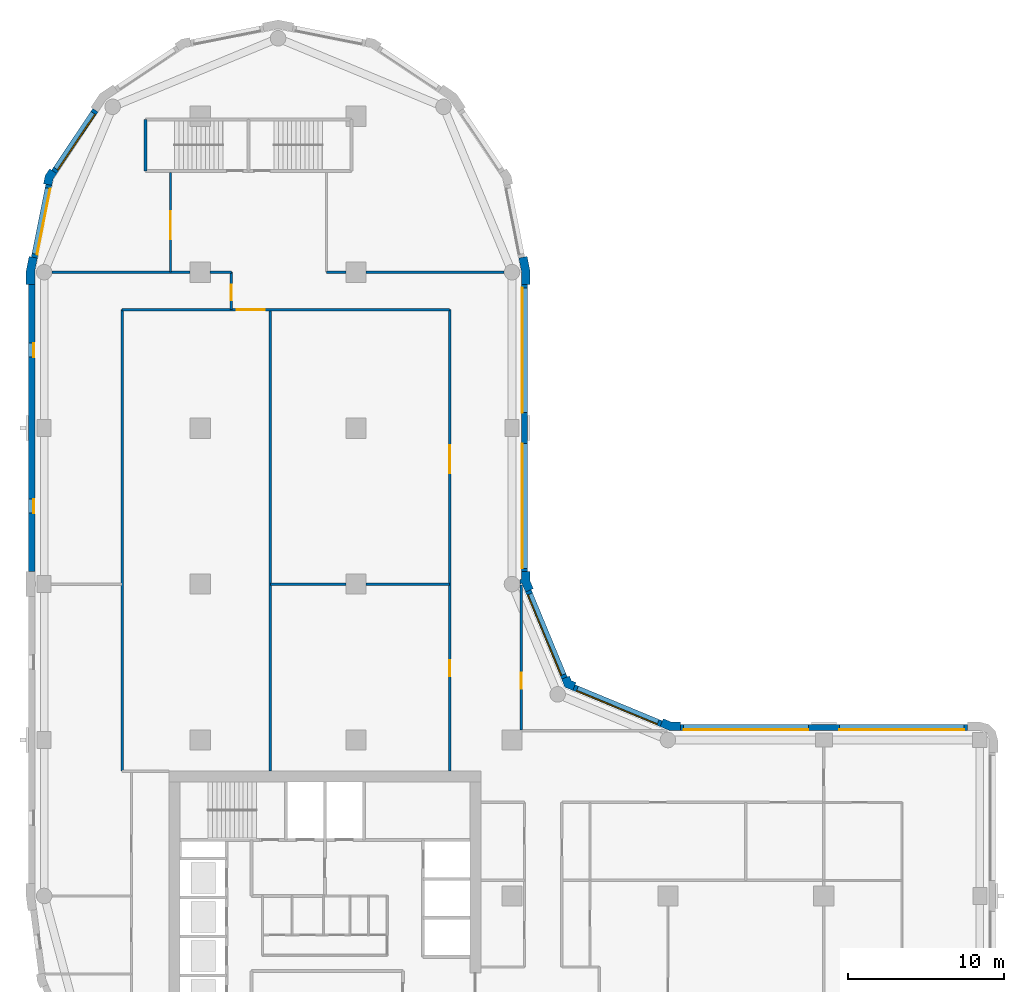
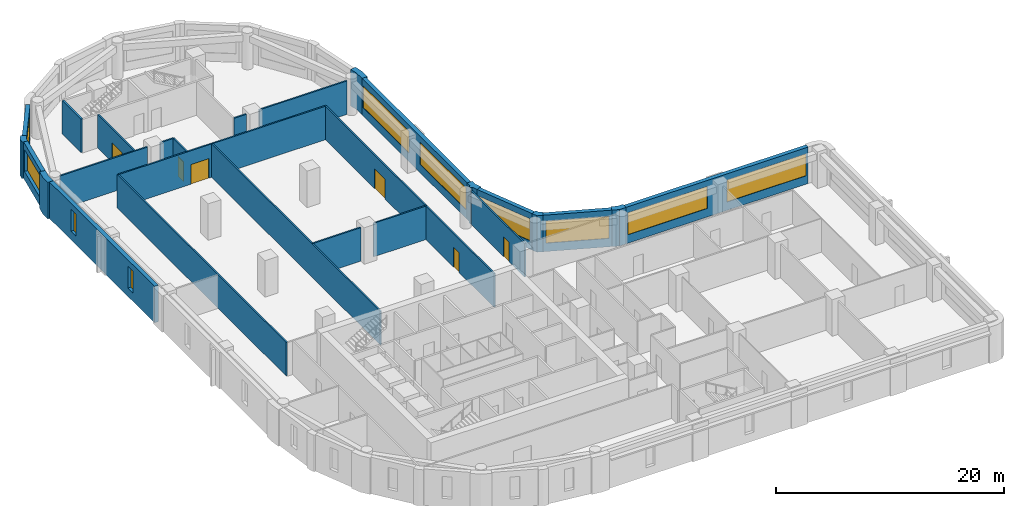
# One storey, part 6 of 10: 27 walls, 10 windows, 6 doors, 16 openings.
"""IFC4 building model written with IfcOpenShell, lengths in metres."""

from ifc_helpers import new_model, si_unit, direction, frame, frame_2d, origin, place, context, subcontext, project, spatial, polyline, rectangle, outline, extrude, material, layer, layer_set, type_object, element, fill, save


model = new_model("IFC4")

# Units and contexts
model_context = context("Model", 3, precision=1e-05, world=origin(), true_north=direction((0.0, 1.0)))
body_context = subcontext(model_context, "Body", "Model", "MODEL_VIEW")
ifc_project = project(units=[si_unit("LENGTHUNIT", "METRE"), si_unit("AREAUNIT", "SQUARE_METRE"), si_unit("VOLUMEUNIT", "CUBIC_METRE"), si_unit("PLANEANGLEUNIT", "RADIAN"), si_unit("MASSUNIT", "GRAM", prefix="KILO")], contexts=[model_context])

# Site, building, storey
site_placement = place(None, origin())
site = spatial("IfcSite", under=ifc_project, at=site_placement, CompositionType="ELEMENT")
building_placement = place(site_placement, origin())
building = spatial("IfcBuilding", under=site, at=building_placement, Name="Qaws Garden Tower", CompositionType="ELEMENT")
storey_placement = place(building_placement, frame((0.0, 0.0, 182.39990234375)))
storey = spatial("IfcBuildingStorey", under=building, at=storey_placement, Name="L44", CompositionType="ELEMENT", Elevation=182.39990234375)

# Wall, openings, windows
ifc_material_1 = material(Name="Clay facing brick masonry", Category="masonry")
ifc_layer_1 = layer(ifc_material_1, 0.39990234375)
ifc_layer_set_1 = layer_set([ifc_layer_1], Name="Clay facing brick masonry")
wall_type_1 = type_object("IfcWallType", Name="Brick infill wall 400", PredefinedType="SOLIDWALL", material=ifc_layer_set_1)
wall_1_placement = place(storey_placement, frame((59.199951171875, 30.800048828125, 0.0), z_axis=(0.0, 0.0, 1.0), x_axis=(-1.0, 0.0, 0.0)))
wall_1 = element("IfcWall", 1, at=wall_1_placement, inside=storey, type_object=wall_type_1, Name="E-L44-infill-07", PredefinedType="SOLIDWALL", context=body_context, shape_type="SweptSolid", body=[
    extrude(rectangle(XDim=18.39990234375, YDim=0.39990234375, at=frame_2d((9.199951171875, 0.0))), origin(), (0.0, 0.0, 1.0), 3.900146484375),
])
opening_1_placement = place(wall_1_placement, frame((0.199951171875, 0.0, 0.89990234375)))
opening_1 = element("IfcOpeningElement", 2, at=opening_1_placement, cuts=wall_1, Name="Opening W01", PredefinedType="OPENING", context=body_context, shape_type="SweptSolid", body=[
    extrude(rectangle(XDim=8.0, YDim=2.35009765625, at=frame_2d((4.0, 1.175048828125))), frame((0.0, 0.2099609375, 0.0), z_axis=(0.0, -1.0, 0.0), x_axis=(1.0, 0.0, 0.0)), (0.0, 0.0, 1.0), 0.419921875),
])
opening_2_placement = place(wall_1_placement, frame((10.199951171875, 0.0, 0.89990234375)))
opening_2 = element("IfcOpeningElement", 3, at=opening_2_placement, cuts=wall_1, Name="Opening W01", PredefinedType="OPENING", context=body_context, shape_type="SweptSolid", body=[
    extrude(rectangle(XDim=8.0, YDim=2.35009765625, at=frame_2d((4.0, 1.175048828125))), frame((0.0, 0.2099609375, 0.0), z_axis=(0.0, -1.0, 0.0), x_axis=(1.0, 0.0, 0.0)), (0.0, 0.0, 1.0), 0.419921875),
])
ifc_material_2 = material(Name="Aluminium framed window, clear glazing", Category="aluminium")
window_type_1 = type_object("IfcWindowType", Name="Ribbon window 8000 x 2350", PartitioningType="DOUBLE_PANEL_VERTICAL", PredefinedType="WINDOW", material=ifc_material_2)
window_1_placement = place(opening_1_placement, origin())
window_1 = element("IfcWindow", 4, at=window_1_placement, inside=storey, type_object=window_type_1, Name="E-L44-window-07-0", OverallHeight=2.35009765625, OverallWidth=8.0, PartitioningType="SINGLE_PANEL", PredefinedType="WINDOW", context=body_context, shape_type="SweptSolid", body=[
    extrude(rectangle(XDim=8.0, YDim=2.35009765625, at=frame_2d((4.0, 1.175048828125))), frame((0.0, 0.159912109375, 0.0), z_axis=(0.0, -1.0, 0.0), x_axis=(1.0, 0.0, 0.0)), (0.0, 0.0, 1.0), 0.06005859375),
])
fill(opening_1, window_1)
window_2_placement = place(opening_2_placement, origin())
window_2 = element("IfcWindow", 5, at=window_2_placement, inside=storey, type_object=window_type_1, Name="E-L44-window-08-0", OverallHeight=2.35009765625, OverallWidth=8.0, PartitioningType="SINGLE_PANEL", PredefinedType="WINDOW", context=body_context, shape_type="SweptSolid", body=[
    extrude(rectangle(XDim=8.0, YDim=2.35009765625, at=frame_2d((4.0, 1.175048828125))), frame((0.0, 0.159912109375, 0.0), z_axis=(0.0, -1.0, 0.0), x_axis=(1.0, 0.0, 0.0)), (0.0, 0.0, 1.0), 0.06005859375),
])
fill(opening_2, window_2)

# Wall, opening, window
wall_2_placement = place(storey_placement, frame((39.56689453125, 31.04541015625, 0.0), z_axis=(0.0, 0.0, 1.0), x_axis=(-0.923891000409, 0.382655745237, 0.0)))
wall_2 = element("IfcWall", 6, at=wall_2_placement, inside=storey, type_object=wall_type_1, Name="E-L44-infill-09", PredefinedType="SOLIDWALL", context=body_context, shape_type="SweptSolid", body=[
    extrude(rectangle(XDim=6.053466796875, YDim=0.39990234375, at=frame_2d((3.02685546875, 0.0))), origin(), (0.0, 0.0, 1.0), 3.900146484375),
])
opening_3_placement = place(wall_2_placement, frame((0.226806640625, 0.0, 0.89990234375)))
opening_3 = element("IfcOpeningElement", 7, at=opening_3_placement, cuts=wall_2, Name="Opening W04", PredefinedType="OPENING", context=body_context, shape_type="SweptSolid", body=[
    extrude(rectangle(XDim=5.60009765625, YDim=2.35009765625, at=frame_2d((2.800048828125, 1.175048828125))), frame((0.0, 0.2099609375, 0.0), z_axis=(0.0, -1.0, 0.0), x_axis=(1.0, 0.0, 0.0)), (0.0, 0.0, 1.0), 0.419921875),
])
ifc_material_3 = material(Name="Aluminium framed window, clear glazing", Category="aluminium")
window_type_2 = type_object("IfcWindowType", Name="Ribbon window 5600 x 2350", PartitioningType="DOUBLE_PANEL_VERTICAL", PredefinedType="WINDOW", material=ifc_material_3)
window_3_placement = place(opening_3_placement, origin())
window_3 = element("IfcWindow", 8, at=window_3_placement, inside=storey, type_object=window_type_2, Name="E-L44-window-09-0", OverallHeight=2.35009765625, OverallWidth=5.60009765625, PartitioningType="SINGLE_PANEL", PredefinedType="WINDOW", context=body_context, shape_type="SweptSolid", body=[
    extrude(rectangle(XDim=5.60009765625, YDim=2.35009765625, at=frame_2d((2.800048828125, 1.175048828125))), frame((0.0, 0.159912109375, 0.0), z_axis=(0.0, -1.0, 0.0), x_axis=(1.0, 0.0, 0.0)), (0.0, 0.0, 1.0), 0.06005859375),
])
fill(opening_3, window_3)

wall_3_placement = place(storey_placement, frame((33.36181640625, 33.97412109375, 0.0), z_axis=(0.0, 0.0, 1.0), x_axis=(-0.382655745237, 0.923891000409, 0.0)))
wall_3 = element("IfcWall", 9, at=wall_3_placement, inside=storey, type_object=wall_type_1, Name="E-L44-infill-10", PredefinedType="SOLIDWALL", context=body_context, shape_type="SweptSolid", body=[
    extrude(rectangle(XDim=6.053466796875, YDim=0.39990234375, at=frame_2d((3.02685546875, 0.0))), origin(), (0.0, 0.0, 1.0), 3.900146484375),
])
opening_4_placement = place(wall_3_placement, frame((0.226806640625, 0.0, 0.89990234375)))
opening_4 = element("IfcOpeningElement", 10, at=opening_4_placement, cuts=wall_3, Name="Opening W04", PredefinedType="OPENING", context=body_context, shape_type="SweptSolid", body=[
    extrude(rectangle(XDim=5.60009765625, YDim=2.35009765625, at=frame_2d((2.800048828125, 1.175048828125))), frame((0.0, 0.2099609375, 0.0), z_axis=(0.0, -1.0, 0.0), x_axis=(1.0, 0.0, 0.0)), (0.0, 0.0, 1.0), 0.419921875),
])
window_4_placement = place(opening_4_placement, origin())
window_4 = element("IfcWindow", 11, at=window_4_placement, inside=storey, type_object=window_type_2, Name="E-L44-window-10-0", OverallHeight=2.35009765625, OverallWidth=5.60009765625, PartitioningType="SINGLE_PANEL", PredefinedType="WINDOW", context=body_context, shape_type="SweptSolid", body=[
    extrude(rectangle(XDim=5.60009765625, YDim=2.35009765625, at=frame_2d((2.800048828125, 1.175048828125))), frame((0.0, 0.159912109375, 0.0), z_axis=(0.0, -1.0, 0.0), x_axis=(1.0, 0.0, 0.0)), (0.0, 0.0, 1.0), 0.06005859375),
])
fill(opening_4, window_4)

# Wall, openings, windows
wall_4_placement = place(storey_placement, frame((30.800048828125, 40.800048828125, 0.0), z_axis=(0.0, 0.0, 1.0), x_axis=(0.0, 1.0, 0.0)))
wall_4 = element("IfcWall", 12, at=wall_4_placement, inside=storey, type_object=wall_type_1, Name="E-L44-infill-11", PredefinedType="SOLIDWALL", context=body_context, shape_type="SweptSolid", body=[
    extrude(rectangle(XDim=18.39990234375, YDim=0.39990234375, at=frame_2d((9.199951171875, 0.0))), origin(), (0.0, 0.0, 1.0), 3.900146484375),
])
opening_5_placement = place(wall_4_placement, frame((0.199951171875, 0.0, 0.89990234375)))
opening_5 = element("IfcOpeningElement", 13, at=opening_5_placement, cuts=wall_4, Name="Opening W01", PredefinedType="OPENING", context=body_context, shape_type="SweptSolid", body=[
    extrude(rectangle(XDim=8.0, YDim=2.35009765625, at=frame_2d((4.0, 1.175048828125))), frame((0.0, 0.2099609375, 0.0), z_axis=(0.0, -1.0, 0.0), x_axis=(1.0, 0.0, 0.0)), (0.0, 0.0, 1.0), 0.419921875),
])
opening_6_placement = place(wall_4_placement, frame((10.199951171875, 0.0, 0.89990234375)))
opening_6 = element("IfcOpeningElement", 14, at=opening_6_placement, cuts=wall_4, Name="Opening W01", PredefinedType="OPENING", context=body_context, shape_type="SweptSolid", body=[
    extrude(rectangle(XDim=8.0, YDim=2.35009765625, at=frame_2d((4.0, 1.175048828125))), frame((0.0, 0.2099609375, 0.0), z_axis=(0.0, -1.0, 0.0), x_axis=(1.0, 0.0, 0.0)), (0.0, 0.0, 1.0), 0.419921875),
])
window_5_placement = place(opening_5_placement, origin())
window_5 = element("IfcWindow", 15, at=window_5_placement, inside=storey, type_object=window_type_1, Name="E-L44-window-11-0", OverallHeight=2.35009765625, OverallWidth=8.0, PartitioningType="SINGLE_PANEL", PredefinedType="WINDOW", context=body_context, shape_type="SweptSolid", body=[
    extrude(rectangle(XDim=8.0, YDim=2.35009765625, at=frame_2d((4.0, 1.175048828125))), frame((0.0, 0.159912109375, 0.0), z_axis=(0.0, -1.0, 0.0), x_axis=(1.0, 0.0, 0.0)), (0.0, 0.0, 1.0), 0.06005859375),
])
fill(opening_5, window_5)
window_6_placement = place(opening_6_placement, origin())
window_6 = element("IfcWindow", 16, at=window_6_placement, inside=storey, type_object=window_type_1, Name="E-L44-window-12-0", OverallHeight=2.35009765625, OverallWidth=8.0, PartitioningType="SINGLE_PANEL", PredefinedType="WINDOW", context=body_context, shape_type="SweptSolid", body=[
    extrude(rectangle(XDim=8.0, YDim=2.35009765625, at=frame_2d((4.0, 1.175048828125))), frame((0.0, 0.159912109375, 0.0), z_axis=(0.0, -1.0, 0.0), x_axis=(1.0, 0.0, 0.0)), (0.0, 0.0, 1.0), 0.06005859375),
])
fill(opening_6, window_6)

# Wall, opening, window
wall_5_placement = place(storey_placement, frame((3.28369140625, 70.385986328125, 0.0), z_axis=(0.0, 0.0, 1.0), x_axis=(-0.555541552266, -0.831488775454, 0.0)))
wall_5 = element("IfcWall", 17, at=wall_5_placement, inside=storey, type_object=wall_type_1, Name="E-L44-infill-19", PredefinedType="SOLIDWALL", context=body_context, shape_type="SweptSolid", body=[
    extrude(rectangle(XDim=4.752685546875, YDim=0.39990234375, at=frame_2d((2.37646484375, 0.0))), origin(), (0.0, 0.0, 1.0), 3.900146484375),
])
opening_7_placement = place(wall_5_placement, frame((0.226318359375, 0.0, 0.89990234375)))
opening_7 = element("IfcOpeningElement", 18, at=opening_7_placement, cuts=wall_5, Name="Opening W06", PredefinedType="OPENING", context=body_context, shape_type="SweptSolid", body=[
    extrude(rectangle(XDim=4.300048828125, YDim=2.35009765625, at=frame_2d((2.14990234375, 1.175048828125))), frame((0.0, 0.2099609375, 0.0), z_axis=(0.0, -1.0, 0.0), x_axis=(1.0, 0.0, 0.0)), (0.0, 0.0, 1.0), 0.419921875),
])
ifc_material_4 = material(Name="Aluminium framed window, clear glazing", Category="aluminium")
window_type_3 = type_object("IfcWindowType", Name="Ribbon window 4300 x 2350", PartitioningType="DOUBLE_PANEL_VERTICAL", PredefinedType="WINDOW", material=ifc_material_4)
window_7_placement = place(opening_7_placement, origin())
window_7 = element("IfcWindow", 19, at=window_7_placement, inside=storey, type_object=window_type_3, Name="E-L44-window-19-0", OverallHeight=2.35009765625, OverallWidth=4.300048828125, PartitioningType="SINGLE_PANEL", PredefinedType="WINDOW", context=body_context, shape_type="SweptSolid", body=[
    extrude(rectangle(XDim=4.300048828125, YDim=2.35009765625, at=frame_2d((2.14990234375, 1.175048828125))), frame((0.0, 0.159912109375, 0.0), z_axis=(0.0, -1.0, 0.0), x_axis=(1.0, 0.0, 0.0)), (0.0, 0.0, 1.0), 0.06005859375),
])
fill(opening_7, window_7)

wall_6_placement = place(storey_placement, frame((0.298583984375, 65.60205078125, 0.0), z_axis=(0.0, 0.0, 1.0), x_axis=(-0.195098533057, -0.98078364709, 0.0)))
wall_6 = element("IfcWall", 20, at=wall_6_placement, inside=storey, type_object=wall_type_1, Name="E-L44-infill-20", PredefinedType="SOLIDWALL", context=body_context, shape_type="SweptSolid", body=[
    extrude(rectangle(XDim=4.752685546875, YDim=0.39990234375, at=frame_2d((2.37646484375, 0.0))), origin(), (0.0, 0.0, 1.0), 3.900146484375),
])
opening_8_placement = place(wall_6_placement, frame((0.226318359375, 0.0, 0.89990234375)))
opening_8 = element("IfcOpeningElement", 21, at=opening_8_placement, cuts=wall_6, Name="Opening W06", PredefinedType="OPENING", context=body_context, shape_type="SweptSolid", body=[
    extrude(rectangle(XDim=4.300048828125, YDim=2.35009765625, at=frame_2d((2.14990234375, 1.175048828125))), frame((0.0, 0.2099609375, 0.0), z_axis=(0.0, -1.0, 0.0), x_axis=(1.0, 0.0, 0.0)), (0.0, 0.0, 1.0), 0.419921875),
])
window_8_placement = place(opening_8_placement, origin())
window_8 = element("IfcWindow", 22, at=window_8_placement, inside=storey, type_object=window_type_3, Name="E-L44-window-20-0", OverallHeight=2.35009765625, OverallWidth=4.300048828125, PartitioningType="SINGLE_PANEL", PredefinedType="WINDOW", context=body_context, shape_type="SweptSolid", body=[
    extrude(rectangle(XDim=4.300048828125, YDim=2.35009765625, at=frame_2d((2.14990234375, 1.175048828125))), frame((0.0, 0.159912109375, 0.0), z_axis=(0.0, -1.0, 0.0), x_axis=(1.0, 0.0, 0.0)), (0.0, 0.0, 1.0), 0.06005859375),
])
fill(opening_8, window_8)

# Wall, openings, windows
wall_7_placement = place(storey_placement, frame((-0.800048828125, 59.199951171875, 0.0), z_axis=(0.0, 0.0, 1.0), x_axis=(0.0, -1.0, 0.0)))
wall_7 = element("IfcWall", 23, at=wall_7_placement, inside=storey, type_object=wall_type_1, Name="E-L44-infill-21", PredefinedType="SOLIDWALL", context=body_context, shape_type="SweptSolid", body=[
    extrude(rectangle(XDim=18.39990234375, YDim=0.39990234375, at=frame_2d((9.199951171875, 0.0))), origin(), (0.0, 0.0, 1.0), 3.900146484375),
])
opening_9_placement = place(wall_7_placement, frame((3.75, 0.0, 0.89990234375)))
opening_9 = element("IfcOpeningElement", 24, at=opening_9_placement, cuts=wall_7, Name="Opening W09", PredefinedType="OPENING", context=body_context, shape_type="SweptSolid", body=[
    extrude(rectangle(XDim=0.89990234375, YDim=2.35009765625, at=frame_2d((0.449951171875, 1.175048828125))), frame((0.0, 0.2099609375, 0.0), z_axis=(0.0, -1.0, 0.0), x_axis=(1.0, 0.0, 0.0)), (0.0, 0.0, 1.0), 0.419921875),
])
opening_10_placement = place(wall_7_placement, frame((13.75, 0.0, 0.89990234375)))
opening_10 = element("IfcOpeningElement", 25, at=opening_10_placement, cuts=wall_7, Name="Opening W09", PredefinedType="OPENING", context=body_context, shape_type="SweptSolid", body=[
    extrude(rectangle(XDim=0.89990234375, YDim=2.35009765625, at=frame_2d((0.449951171875, 1.175048828125))), frame((0.0, 0.2099609375, 0.0), z_axis=(0.0, -1.0, 0.0), x_axis=(1.0, 0.0, 0.0)), (0.0, 0.0, 1.0), 0.419921875),
])
ifc_material_5 = material(Name="Aluminium framed window, clear glazing", Category="aluminium")
window_type_4 = type_object("IfcWindowType", Name="Slit window 900 x 2350", PartitioningType="SINGLE_PANEL", PredefinedType="WINDOW", material=ifc_material_5)
window_9_placement = place(opening_9_placement, origin())
window_9 = element("IfcWindow", 26, at=window_9_placement, inside=storey, type_object=window_type_4, Name="E-L44-window-21-0", OverallHeight=2.35009765625, OverallWidth=0.89990234375, PartitioningType="SINGLE_PANEL", PredefinedType="WINDOW", context=body_context, shape_type="SweptSolid", body=[
    extrude(rectangle(XDim=0.89990234375, YDim=2.35009765625, at=frame_2d((0.449951171875, 1.175048828125))), frame((0.0, 0.159912109375, 0.0), z_axis=(0.0, -1.0, 0.0), x_axis=(1.0, 0.0, 0.0)), (0.0, 0.0, 1.0), 0.06005859375),
])
fill(opening_9, window_9)
window_10_placement = place(opening_10_placement, origin())
window_10 = element("IfcWindow", 27, at=window_10_placement, inside=storey, type_object=window_type_4, Name="E-L44-window-22-0", OverallHeight=2.35009765625, OverallWidth=0.89990234375, PartitioningType="SINGLE_PANEL", PredefinedType="WINDOW", context=body_context, shape_type="SweptSolid", body=[
    extrude(rectangle(XDim=0.89990234375, YDim=2.35009765625, at=frame_2d((0.449951171875, 1.175048828125))), frame((0.0, 0.159912109375, 0.0), z_axis=(0.0, -1.0, 0.0), x_axis=(1.0, 0.0, 0.0)), (0.0, 0.0, 1.0), 0.06005859375),
])
fill(opening_10, window_10)

# Walls
ifc_material_6 = material(Name="Clay facing brick masonry", Category="masonry")
ifc_layer_2 = layer(ifc_material_6, 0.550048828125)
ifc_layer_set_2 = layer_set([ifc_layer_2], Name="Clay facing brick masonry")
wall_type_2 = type_object("IfcWallType", Name="Brick kink pier 550 x 600", PredefinedType="SOLIDWALL", material=ifc_layer_set_2)
placement = place(storey_placement, origin())
element("IfcWall", 28, at=placement, inside=storey, type_object=wall_type_2, Name="E-L44-pier-20", PredefinedType="SOLIDWALL", context=body_context, shape_type="SweptSolid", body=[
    extrude(outline(polyline([(0.47705078125, 66.545166015625), (0.352294921875, 66.628662109375), (0.05859375, 66.18896484375), (-0.044677734375, 65.67041015625), (0.1025390625, 65.64111328125), (0.494873046875, 65.56298828125), (0.57666015625, 65.974365234375), (0.8095703125, 66.322998046875), (0.47705078125, 66.545166015625)])), origin(), (0.0, 0.0, 1.0), 3.900146484375),
])
ifc_material_7 = material(Name="Clay facing brick masonry", Category="masonry")
ifc_layer_3 = layer(ifc_material_7, 0.550048828125)
ifc_layer_set_3 = layer_set([ifc_layer_3], Name="Clay facing brick masonry")
wall_type_3 = type_object("IfcWallType", Name="Brick pier 550 x 1600", PredefinedType="SOLIDWALL", material=ifc_layer_set_3)
element("IfcWall", 29, at=placement, inside=storey, type_object=wall_type_3, Name="E-L44-pier-09", PredefinedType="SOLIDWALL", context=body_context, shape_type="SweptSolid", body=[
    extrude(outline(polyline([(40.800048828125, 31.0), (40.800048828125, 31.14990234375), (40.228759765625, 31.14990234375), (39.700927734375, 31.36865234375), (39.6435546875, 31.22998046875), (39.490478515625, 30.860595703125), (40.119384765625, 30.60009765625), (40.800048828125, 30.60009765625), (40.800048828125, 31.0)])), origin(), (0.0, 0.0, 1.0), 3.900146484375),
])
element("IfcWall", 30, at=placement, inside=storey, type_object=wall_type_3, Name="E-L44-pier-10", PredefinedType="SOLIDWALL", context=body_context, shape_type="SweptSolid", body=[
    extrude(outline(polyline([(34.05078125, 33.546630859375), (34.108154296875, 33.685302734375), (33.80908203125, 33.80908203125), (33.685302734375, 34.108154296875), (33.546630859375, 34.05078125), (33.177001953125, 33.897705078125), (33.38818359375, 33.38818359375), (33.897705078125, 33.177001953125), (34.05078125, 33.546630859375)])), origin(), (0.0, 0.0, 1.0), 3.900146484375),
])
element("IfcWall", 31, at=placement, inside=storey, type_object=wall_type_3, Name="E-L44-pier-11", PredefinedType="SOLIDWALL", context=body_context, shape_type="SweptSolid", body=[
    extrude(outline(polyline([(30.6201171875, 39.995361328125), (30.6201171875, 40.071044921875), (30.860595703125, 39.490478515625), (31.22998046875, 39.6435546875), (31.36865234375, 39.700927734375), (31.14990234375, 40.228759765625), (31.14990234375, 40.800048828125), (31.0, 40.800048828125), (30.60009765625, 40.800048828125), (30.60009765625, 40.29541015625), (30.5, 40.29541015625), (30.5, 39.995361328125), (30.6201171875, 39.995361328125)])), origin(), (0.0, 0.0, 1.0), 3.900146484375),
])
element("IfcWall", 32, at=placement, inside=storey, type_object=wall_type_3, Name="E-L44-pier-13", PredefinedType="SOLIDWALL", context=body_context, shape_type="SweptSolid", body=[
    extrude(outline(polyline([(31.0, 59.199951171875), (31.14990234375, 59.199951171875), (31.14990234375, 60.11328125), (30.971923828125, 61.009033203125), (30.82470703125, 60.979736328125), (30.432373046875, 60.901611328125), (30.60009765625, 60.05908203125), (30.60009765625, 59.199951171875), (31.0, 59.199951171875)])), origin(), (0.0, 0.0, 1.0), 3.900146484375),
])
element("IfcWall", 33, at=placement, inside=storey, type_object=wall_type_3, Name="E-L44-pier-21", PredefinedType="SOLIDWALL", context=body_context, shape_type="SweptSolid", body=[
    extrude(outline(polyline([(-0.82470703125, 60.979736328125), (-0.971923828125, 61.009033203125), (-1.14990234375, 60.11328125), (-1.14990234375, 59.199951171875), (-1.0, 59.199951171875), (-0.60009765625, 59.199951171875), (-0.60009765625, 60.05908203125), (-0.432373046875, 60.901611328125), (-0.82470703125, 60.979736328125)])), origin(), (0.0, 0.0, 1.0), 3.900146484375),
])
ifc_material_8 = material(Name="Concrete C70", Category="concrete")
ifc_layer_4 = layer(ifc_material_8, 0.199951171875)
ifc_layer_set_4 = layer_set([ifc_layer_4], Name="Concrete C70")
wall_type_4 = type_object("IfcWallType", Name="Core shaft wall 200 C70", PredefinedType="SHEAR", material=ifc_layer_set_4)
wall_14_placement = place(storey_placement, frame((6.5, 66.5, 0.0), z_axis=(0.0, 0.0, 1.0), x_axis=(0.0, 1.0, 0.0)))
element("IfcWall", 34, at=wall_14_placement, inside=storey, type_object=wall_type_4, Name="Shaft wall", PredefinedType="SHEAR", context=body_context, shape_type="SweptSolid", body=[
    extrude(rectangle(XDim=3.300048828125, YDim=0.199951171875, at=frame_2d((1.64990234375, 0.0))), origin(), (0.0, 0.0, 1.0), 3.580078125),
])
ifc_material_9 = material(Name="Gypsum board partition")
ifc_layer_5 = layer(ifc_material_9, 0.14990234375)
ifc_layer_set_5 = layer_set([ifc_layer_5], Name="Gypsum board partition")
wall_type_5 = type_object("IfcWallType", Name="PARTITION 150 EI 60", PredefinedType="PARTITIONING", material=ifc_layer_set_5)
wall_15_placement = place(storey_placement, frame((5.0, 28.0, 0.0), z_axis=(0.0, 0.0, 1.0), x_axis=(0.0, 1.0, 0.0)))
element("IfcWall", 35, at=wall_15_placement, inside=storey, type_object=wall_type_5, Name="O-L44-wall-008", PredefinedType="PARTITIONING", context=body_context, shape_type="SweptSolid", body=[
    extrude(rectangle(XDim=29.60009765625, YDim=0.14990234375, at=frame_2d((14.800048828125, 0.0))), origin(), (0.0, 0.0, 1.0), 3.580078125),
])

# Wall, opening, door
wall_16_placement = place(storey_placement, frame((8.10009765625, 60.0, 0.0), z_axis=(0.0, 0.0, 1.0), x_axis=(0.0, 1.0, 0.0)))
wall_16 = element("IfcWall", 36, at=wall_16_placement, inside=storey, type_object=wall_type_5, Name="O-L44-wall-010", PredefinedType="PARTITIONING", context=body_context, shape_type="SweptSolid", body=[
    extrude(rectangle(XDim=6.39990234375, YDim=0.14990234375, at=frame_2d((3.199951171875, 0.0))), origin(), (0.0, 0.0, 1.0), 3.580078125),
])
opening_11_placement = place(wall_16_placement, frame((2.10009765625, 0.0, 0.0)))
opening_11 = element("IfcOpeningElement", 37, at=opening_11_placement, cuts=wall_16, Name="Opening B513", PredefinedType="OPENING", context=body_context, shape_type="SweptSolid", body=[
    extrude(rectangle(XDim=1.800048828125, YDim=2.10009765625, at=frame_2d((0.89990234375, 1.050048828125))), frame((0.0, 0.0849609375, 0.0), z_axis=(0.0, -1.0, 0.0), x_axis=(1.0, 0.0, 0.0)), (0.0, 0.0, 1.0), 0.169921875),
])
ifc_material_10 = material(Name="Timber door leaf", Category="wood")
door_type_1 = type_object("IfcDoorType", Name="DOUBLE DOOR 1800 X 2100", OperationType="DOUBLE_DOOR_SINGLE_SWING", PredefinedType="DOOR", material=ifc_material_10)
door_1_placement = place(opening_11_placement, origin())
door_1 = element("IfcDoor", 38, at=door_1_placement, inside=storey, type_object=door_type_1, Name="O-L44-door-013", OperationType="DOUBLE_DOOR_SINGLE_SWING", OverallHeight=2.10009765625, OverallWidth=1.800048828125, PredefinedType="DOOR", context=body_context, shape_type="SweptSolid", body=[
    extrude(rectangle(XDim=1.800048828125, YDim=2.10009765625, at=frame_2d((0.89990234375, 1.050048828125))), frame((0.0, 0.02490234375, 0.0), z_axis=(0.0, -1.0, 0.0), x_axis=(1.0, 0.0, 0.0)), (0.0, 0.0, 1.0), 0.050048828125),
])
fill(opening_11, door_1)

wall_17_placement = place(storey_placement, frame((12.0, 57.60009765625, 0.0), z_axis=(0.0, 0.0, 1.0), x_axis=(0.0, 1.0, 0.0)))
wall_17 = element("IfcWall", 39, at=wall_17_placement, inside=storey, type_object=wall_type_5, Name="O-L44-wall-011", PredefinedType="PARTITIONING", context=body_context, shape_type="SweptSolid", body=[
    extrude(rectangle(XDim=2.39990234375, YDim=0.14990234375, at=frame_2d((1.199951171875, 0.0))), origin(), (0.0, 0.0, 1.0), 3.580078125),
])
opening_12_placement = place(wall_17_placement, frame((0.60009765625, 0.0, 0.0)))
opening_12 = element("IfcOpeningElement", 40, at=opening_12_placement, cuts=wall_17, Name="Opening B512", PredefinedType="OPENING", context=body_context, shape_type="SweptSolid", body=[
    extrude(rectangle(XDim=1.0, YDim=2.10009765625, at=frame_2d((0.5, 1.050048828125))), frame((0.0, 0.0849609375, 0.0), z_axis=(0.0, -1.0, 0.0), x_axis=(1.0, 0.0, 0.0)), (0.0, 0.0, 1.0), 0.169921875),
])
ifc_material_11 = material(Name="Timber door leaf", Category="wood")
door_type_2 = type_object("IfcDoorType", Name="TENANCY ENTRANCE DOOR 1000 X 2100", OperationType="SINGLE_SWING_LEFT", PredefinedType="DOOR", material=ifc_material_11)
door_2_placement = place(opening_12_placement, origin())
door_2 = element("IfcDoor", 41, at=door_2_placement, inside=storey, type_object=door_type_2, Name="O-L44-door-012", OperationType="SINGLE_SWING_LEFT", OverallHeight=2.10009765625, OverallWidth=1.0, PredefinedType="DOOR", context=body_context, shape_type="SweptSolid", body=[
    extrude(rectangle(XDim=1.0, YDim=2.10009765625, at=frame_2d((0.5, 1.050048828125))), frame((0.0, 0.02490234375, 0.0), z_axis=(0.0, -1.0, 0.0), x_axis=(1.0, 0.0, 0.0)), (0.0, 0.0, 1.0), 0.050048828125),
])
fill(opening_12, door_2)

# Wall
wall_18_placement = place(storey_placement, frame((14.5, 28.0, 0.0), z_axis=(0.0, 0.0, 1.0), x_axis=(0.0, 1.0, 0.0)))
element("IfcWall", 42, at=wall_18_placement, inside=storey, type_object=wall_type_5, Name="O-L44-wall-012", PredefinedType="PARTITIONING", context=body_context, shape_type="SweptSolid", body=[
    extrude(rectangle(XDim=29.60009765625, YDim=0.14990234375, at=frame_2d((14.800048828125, 0.0))), origin(), (0.0, 0.0, 1.0), 3.580078125),
])

# Wall, openings, doors
wall_19_placement = place(storey_placement, frame((26.0, 28.0, 0.0), z_axis=(0.0, 0.0, 1.0), x_axis=(0.0, 1.0, 0.0)))
wall_19 = element("IfcWall", 43, at=wall_19_placement, inside=storey, type_object=wall_type_5, Name="O-L44-wall-014", PredefinedType="PARTITIONING", context=body_context, shape_type="SweptSolid", body=[
    extrude(rectangle(XDim=29.60009765625, YDim=0.14990234375, at=frame_2d((14.800048828125, 0.0))), origin(), (0.0, 0.0, 1.0), 3.580078125),
])
opening_13_placement = place(wall_19_placement, frame((6.10009765625, 0.0, 0.0)))
opening_13 = element("IfcOpeningElement", 44, at=opening_13_placement, cuts=wall_19, Name="Opening B507", PredefinedType="OPENING", context=body_context, shape_type="SweptSolid", body=[
    extrude(rectangle(XDim=1.0, YDim=2.10009765625, at=frame_2d((0.5, 1.050048828125))), frame((0.0, 0.0849609375, 0.0), z_axis=(0.0, -1.0, 0.0), x_axis=(1.0, 0.0, 0.0)), (0.0, 0.0, 1.0), 0.169921875),
])
opening_14_placement = place(wall_19_placement, frame((19.10009765625, 0.0, 0.0)))
opening_14 = element("IfcOpeningElement", 45, at=opening_14_placement, cuts=wall_19, Name="Opening B508", PredefinedType="OPENING", context=body_context, shape_type="SweptSolid", body=[
    extrude(rectangle(XDim=1.800048828125, YDim=2.10009765625, at=frame_2d((0.89990234375, 1.050048828125))), frame((0.0, 0.0849609375, 0.0), z_axis=(0.0, -1.0, 0.0), x_axis=(1.0, 0.0, 0.0)), (0.0, 0.0, 1.0), 0.169921875),
])
door_3_placement = place(opening_14_placement, origin())
door_3 = element("IfcDoor", 46, at=door_3_placement, inside=storey, type_object=door_type_1, Name="O-L44-door-008", OperationType="DOUBLE_DOOR_SINGLE_SWING", OverallHeight=2.10009765625, OverallWidth=1.800048828125, PredefinedType="DOOR", context=body_context, shape_type="SweptSolid", body=[
    extrude(rectangle(XDim=1.800048828125, YDim=2.10009765625, at=frame_2d((0.89990234375, 1.050048828125))), frame((0.0, 0.02490234375, 0.0), z_axis=(0.0, -1.0, 0.0), x_axis=(1.0, 0.0, 0.0)), (0.0, 0.0, 1.0), 0.050048828125),
])
fill(opening_14, door_3)
door_4_placement = place(opening_13_placement, origin())
door_4 = element("IfcDoor", 47, at=door_4_placement, inside=storey, type_object=door_type_2, Name="O-L44-door-007", OperationType="SINGLE_SWING_RIGHT", OverallHeight=2.10009765625, OverallWidth=1.0, PredefinedType="DOOR", context=body_context, shape_type="SweptSolid", body=[
    extrude(rectangle(XDim=1.0, YDim=2.10009765625, at=frame_2d((0.5, 1.050048828125))), frame((0.0, 0.02490234375, 0.0), z_axis=(0.0, -1.0, 0.0), x_axis=(1.0, 0.0, 0.0)), (0.0, 0.0, 1.0), 0.050048828125),
])
fill(opening_13, door_4)

# Wall, opening, door
wall_20_placement = place(storey_placement, frame((30.60009765625, 30.64990234375, 0.0), z_axis=(0.0, 0.0, 1.0), x_axis=(0.0, 1.0, 0.0)))
wall_20 = element("IfcWall", 48, at=wall_20_placement, inside=storey, type_object=wall_type_5, Name="O-L44-wall-015", PredefinedType="PARTITIONING", context=body_context, shape_type="SweptSolid", body=[
    extrude(rectangle(XDim=9.288330078125, YDim=0.14990234375, at=frame_2d((4.64404296875, 0.0))), origin(), (0.0, 0.0, 1.0), 3.580078125),
])
opening_15_placement = place(wall_20_placement, frame((2.64990234375, 0.0, 0.0)))
opening_15 = element("IfcOpeningElement", 49, at=opening_15_placement, cuts=wall_20, Name="Opening B514", PredefinedType="OPENING", context=body_context, shape_type="SweptSolid", body=[
    extrude(rectangle(XDim=1.0, YDim=2.10009765625, at=frame_2d((0.5, 1.050048828125))), frame((0.0, 0.0849609375, 0.0), z_axis=(0.0, -1.0, 0.0), x_axis=(1.0, 0.0, 0.0)), (0.0, 0.0, 1.0), 0.169921875),
])
door_5_placement = place(opening_15_placement, frame((1.0, 0.0, 0.0), z_axis=(0.0, 0.0, 1.0), x_axis=(-1.0, 0.0, 0.0)))
door_5 = element("IfcDoor", 50, at=door_5_placement, inside=storey, type_object=door_type_2, Name="O-L44-door-014", OperationType="SINGLE_SWING_LEFT", OverallHeight=2.10009765625, OverallWidth=1.0, PredefinedType="DOOR", context=body_context, shape_type="SweptSolid", body=[
    extrude(rectangle(XDim=1.0, YDim=2.10009765625, at=frame_2d((0.5, 1.050048828125))), frame((0.0, 0.02490234375, 0.0), z_axis=(0.0, -1.0, 0.0), x_axis=(1.0, 0.0, 0.0)), (0.0, 0.0, 1.0), 0.050048828125),
])
fill(opening_15, door_5)

# Walls
wall_21_placement = place(storey_placement, frame((14.5, 40.0, 0.0), z_axis=(0.0, 0.0, 1.0), x_axis=(1.0, 0.0, 0.0)))
element("IfcWall", 51, at=wall_21_placement, inside=storey, type_object=wall_type_5, Name="O-L44-wall-047", PredefinedType="PARTITIONING", context=body_context, shape_type="SweptSolid", body=[
    extrude(rectangle(XDim=4.85009765625, YDim=0.14990234375, at=frame_2d((2.425048828125, 0.0))), origin(), (0.0, 0.0, 1.0), 3.580078125),
])
wall_22_placement = place(storey_placement, frame((20.64990234375, 40.0, 0.0), z_axis=(0.0, 0.0, 1.0), x_axis=(1.0, 0.0, 0.0)))
element("IfcWall", 52, at=wall_22_placement, inside=storey, type_object=wall_type_5, Name="O-L44-wall-048", PredefinedType="PARTITIONING", context=body_context, shape_type="SweptSolid", body=[
    extrude(rectangle(XDim=5.35009765625, YDim=0.14990234375, at=frame_2d((2.675048828125, 0.0))), origin(), (0.0, 0.0, 1.0), 3.580078125),
])

# Wall, opening, door
wall_23_placement = place(storey_placement, frame((5.0, 57.60009765625, 0.0), z_axis=(0.0, 0.0, 1.0), x_axis=(1.0, 0.0, 0.0)))
wall_23 = element("IfcWall", 53, at=wall_23_placement, inside=storey, type_object=wall_type_5, Name="O-L44-wall-049", PredefinedType="PARTITIONING", context=body_context, shape_type="SweptSolid", body=[
    extrude(rectangle(XDim=21.0, YDim=0.14990234375, at=frame_2d((10.5, 0.0))), origin(), (0.0, 0.0, 1.0), 3.580078125),
])
opening_16_placement = place(wall_23_placement, frame((7.35009765625, 0.0, 0.0)))
opening_16 = element("IfcOpeningElement", 54, at=opening_16_placement, cuts=wall_23, Name="Opening B510", PredefinedType="OPENING", context=body_context, shape_type="SweptSolid", body=[
    extrude(rectangle(XDim=1.800048828125, YDim=2.10009765625, at=frame_2d((0.89990234375, 1.050048828125))), frame((0.0, 0.0849609375, 0.0), z_axis=(0.0, -1.0, 0.0), x_axis=(1.0, 0.0, 0.0)), (0.0, 0.0, 1.0), 0.169921875),
])
door_6_placement = place(opening_16_placement, frame((1.800048828125, 0.0, 0.0), z_axis=(0.0, 0.0, 1.0), x_axis=(-1.0, 0.0, 0.0)))
door_6 = element("IfcDoor", 55, at=door_6_placement, inside=storey, type_object=door_type_1, Name="O-L44-door-010", OperationType="DOUBLE_DOOR_SINGLE_SWING", OverallHeight=2.10009765625, OverallWidth=1.800048828125, PredefinedType="DOOR", context=body_context, shape_type="SweptSolid", body=[
    extrude(rectangle(XDim=1.800048828125, YDim=2.10009765625, at=frame_2d((0.89990234375, 1.050048828125))), frame((0.0, 0.02490234375, 0.0), z_axis=(0.0, -1.0, 0.0), x_axis=(1.0, 0.0, 0.0)), (0.0, 0.0, 1.0), 0.050048828125),
])
fill(opening_16, door_6)

# Walls
wall_24_placement = place(storey_placement, frame((0.5, 60.0, 0.0), z_axis=(0.0, 0.0, 1.0), x_axis=(1.0, 0.0, 0.0)))
element("IfcWall", 56, at=wall_24_placement, inside=storey, type_object=wall_type_5, Name="O-L44-wall-050", PredefinedType="PARTITIONING", context=body_context, shape_type="SweptSolid", body=[
    extrude(rectangle(XDim=8.85009765625, YDim=0.14990234375, at=frame_2d((4.425048828125, 0.0))), origin(), (0.0, 0.0, 1.0), 3.580078125),
])
wall_25_placement = place(storey_placement, frame((10.64990234375, 60.0, 0.0), z_axis=(0.0, 0.0, 1.0), x_axis=(1.0, 0.0, 0.0)))
element("IfcWall", 57, at=wall_25_placement, inside=storey, type_object=wall_type_5, Name="O-L44-wall-051", PredefinedType="PARTITIONING", context=body_context, shape_type="SweptSolid", body=[
    extrude(rectangle(XDim=1.35009765625, YDim=0.14990234375, at=frame_2d((0.675048828125, 0.0))), origin(), (0.0, 0.0, 1.0), 3.580078125),
])
wall_26_placement = place(storey_placement, frame((18.10009765625, 60.0, 0.0), z_axis=(0.0, 0.0, 1.0), x_axis=(1.0, 0.0, 0.0)))
element("IfcWall", 58, at=wall_26_placement, inside=storey, type_object=wall_type_5, Name="O-L44-wall-052", PredefinedType="PARTITIONING", context=body_context, shape_type="SweptSolid", body=[
    extrude(rectangle(XDim=1.25, YDim=0.14990234375, at=frame_2d((0.625, 0.0))), origin(), (0.0, 0.0, 1.0), 3.580078125),
])
wall_27_placement = place(storey_placement, frame((20.64990234375, 60.0, 0.0), z_axis=(0.0, 0.0, 1.0), x_axis=(1.0, 0.0, 0.0)))
element("IfcWall", 59, at=wall_27_placement, inside=storey, type_object=wall_type_5, Name="O-L44-wall-053", PredefinedType="PARTITIONING", context=body_context, shape_type="SweptSolid", body=[
    extrude(rectangle(XDim=8.85009765625, YDim=0.14990234375, at=frame_2d((4.425048828125, 0.0))), origin(), (0.0, 0.0, 1.0), 3.580078125),
])

save(model, "model.ifc")
